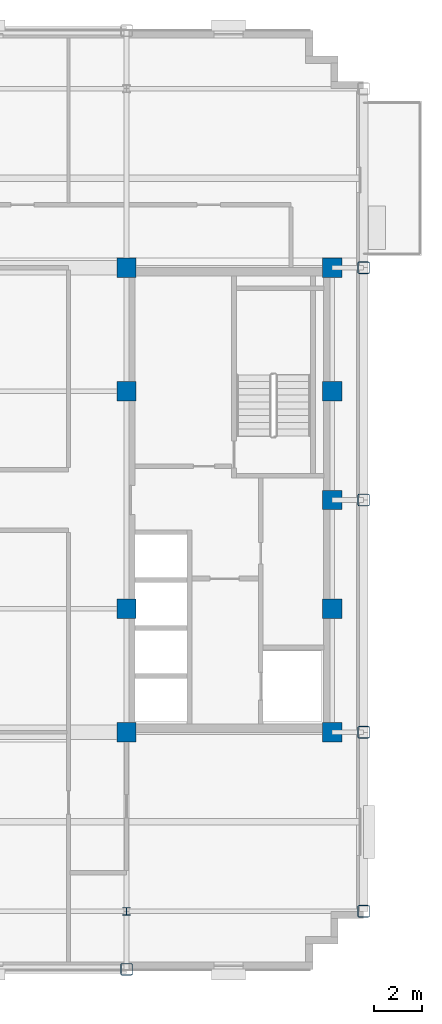
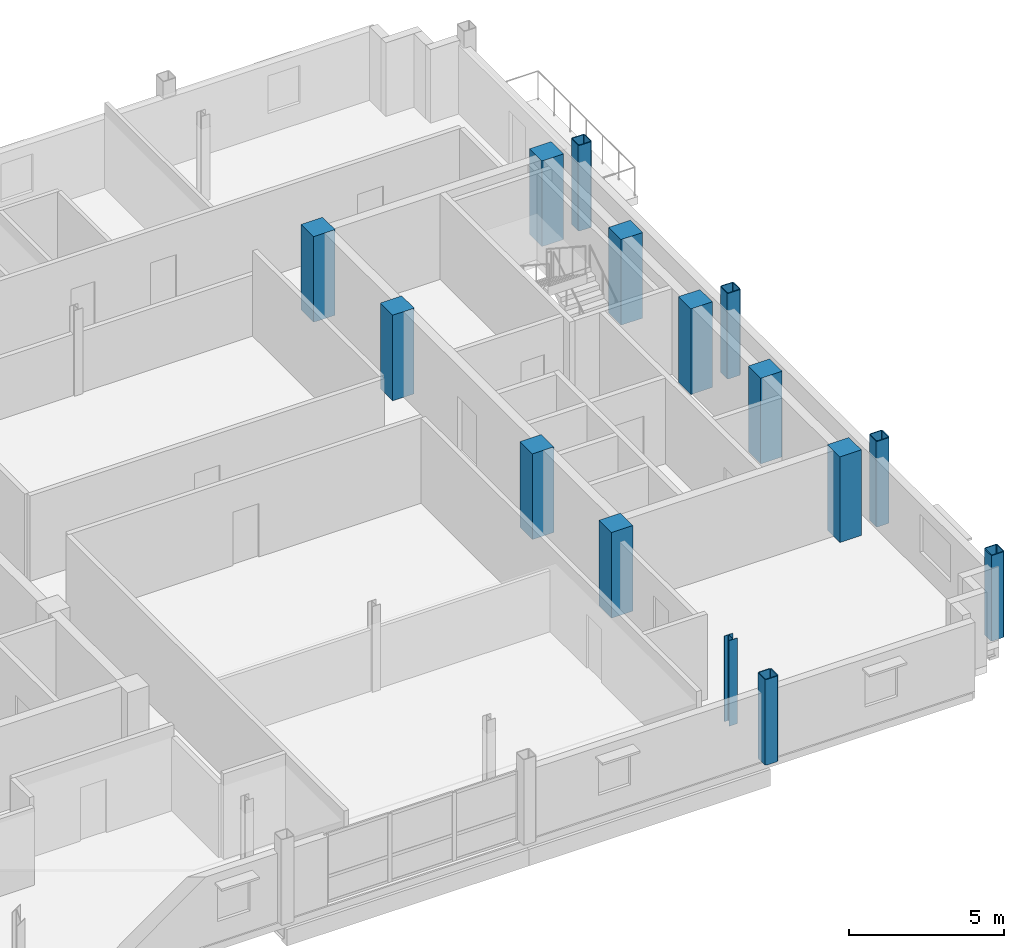
# One storey, part 2 of 16: 15 columns.
"""IFC4 building model written with IfcOpenShell, lengths in metres."""

from ifc_helpers import new_model, si_unit, direction, frame, origin, origin_2d, place, context, subcontext, project, spatial, rectangle, hollow_rectangle, i_section, extrude, material, material_profile, profile_set, type_object, element, save


model = new_model("IFC4")

# Units and contexts
model_context = context("Model", 3, precision=1e-05, world=origin(), true_north=direction((0.0, 1.0)))
body_context = subcontext(model_context, "Body", "Model", "MODEL_VIEW")
ifc_project = project(units=[si_unit("LENGTHUNIT", "METRE"), si_unit("AREAUNIT", "SQUARE_METRE"), si_unit("VOLUMEUNIT", "CUBIC_METRE"), si_unit("PLANEANGLEUNIT", "RADIAN"), si_unit("MASSUNIT", "GRAM", prefix="KILO")], contexts=[model_context])

# Site, building, storey
site_placement = place(None, origin())
site = spatial("IfcSite", under=ifc_project, at=site_placement, CompositionType="ELEMENT")
building_placement = place(site_placement, origin())
building = spatial("IfcBuilding", under=site, at=building_placement, Name="Nuvemarco Arch Tower", CompositionType="ELEMENT")
storey_placement = place(building_placement, frame((0.0, 0.0, 227.39990234375)))
storey = spatial("IfcBuildingStorey", under=building, at=storey_placement, Name="L60", CompositionType="ELEMENT", Elevation=227.39990234375)

# Columns
ifc_material_1 = material(Name="Concrete C50/60", Category="concrete")
ifc_material_profile_1 = material_profile(ifc_material_1, rectangle(XDim=0.800048828125, YDim=0.800048828125, at=origin_2d()), Name="RC-COL-800x800")
ifc_profile_set_1 = profile_set([ifc_material_profile_1], Name="Concrete C50/60")
column_type_1 = type_object("IfcColumnType", Name="COL-CORE-800", PredefinedType="COLUMN", material=ifc_profile_set_1)
for number, where, z_axis, x_axis, name in (
    (1, (9.0, -9.60009765625, 0.0), (0.0, 0.0, 1.0), (1.0, 0.0, 0.0), "L60 column CC_+9.0_-9.6"),
    (2, (9.0, -4.5, 0.0), (0.0, 0.0, 1.0), (1.0, 0.0, 0.0), "L60 column CC_+9.0_-4.5"),
    (3, (9.0, 4.5, 0.0), (0.0, 0.0, 1.0), (1.0, 0.0, 0.0), "L60 column CC_+9.0_+4.5"),
    (4, (9.0, 9.60009765625, 0.0), (0.0, 0.0, 1.0), (1.0, 0.0, 0.0), "L60 column CC_+9.0_+9.6"),
    (5, (17.5, -9.60009765625, 0.0), (0.0, 0.0, 1.0), (1.0, 0.0, 0.0), "L60 column CC_+17.5_-9.6"),
    (6, (17.5, -4.5, 0.0), (0.0, 0.0, 1.0), (1.0, 0.0, 0.0), "L60 column CC_+17.5_-4.5"),
    (7, (17.5, 4.5, 0.0), (0.0, 0.0, 1.0), (1.0, 0.0, 0.0), "L60 column CC_+17.5_+4.5"),
    (8, (17.5, 9.60009765625, 0.0), (0.0, 0.0, 1.0), (1.0, 0.0, 0.0), "L60 column CC_+17.5_+9.6"),
    (9, (17.5, 0.0, 0.0), (0.0, 0.0, 1.0), (1.0, 0.0, 0.0), "L60 column CC_+17.5_+0.0"),
):
    element("IfcColumn", number, at=place(storey_placement, frame(where, z_axis=z_axis, x_axis=x_axis)), inside=storey, type_object=column_type_1, Name=name, PredefinedType="COLUMN", context=body_context, shape_type="SweptSolid", body=[
        extrude(rectangle(XDim=0.800048828125, YDim=0.800048828125, at=origin_2d()), origin(), (0.0, 0.0, 1.0), 3.3701171875),
    ])
ifc_material_2 = material(Name="Steel S355", Category="steel")
ifc_material_profile_2 = material_profile(ifc_material_2, hollow_rectangle(XDim=0.5, YDim=0.5, WallThickness=0.031982421875, InnerFilletRadius=0.031982421875, OuterFilletRadius=0.06396484375, at=origin_2d()), Name="SHS500x500x32")
ifc_profile_set_2 = profile_set([ifc_material_profile_2], Name="Steel S355")
column_type_2 = type_object("IfcColumnType", Name="COL-EXO-500", PredefinedType="COLUMN", material=ifc_profile_set_2)
for number, where, z_axis, x_axis, name in (
    (10, (18.800048828125, -17.0, 0.0), (0.0, 0.0, 1.0), (1.0, 0.0, 0.0), "L60 column CX_+18.8_-17.0"),
    (11, (18.800048828125, -9.60009765625, 0.0), (0.0, 0.0, 1.0), (1.0, 0.0, 0.0), "L60 column CX_+18.8_-9.6"),
    (12, (18.800048828125, 0.0, 0.0), (0.0, 0.0, 1.0), (1.0, 0.0, 0.0), "L60 column CX_+18.8_+0.0"),
    (13, (18.800048828125, 9.60009765625, 0.0), (0.0, 0.0, 1.0), (1.0, 0.0, 0.0), "L60 column CX_+18.8_+9.6"),
    (14, (9.0, -19.39990234375, 0.0), (0.0, 0.0, 1.0), (1.0, 0.0, 0.0), "L60 column CY_+9.0_-19.4"),
):
    element("IfcColumn", number, at=place(storey_placement, frame(where, z_axis=z_axis, x_axis=x_axis)), inside=storey, type_object=column_type_2, Name=name, PredefinedType="COLUMN", context=body_context, shape_type="SweptSolid", body=[
        extrude(hollow_rectangle(XDim=0.5, YDim=0.5, WallThickness=0.031982421875, InnerFilletRadius=0.031982421875, OuterFilletRadius=0.06396484375, at=origin_2d()), origin(), (0.0, 0.0, 1.0), 3.3701171875),
    ])
ifc_material_profile_3 = material_profile(ifc_material_2, i_section(OverallWidth=0.31005859375, OverallDepth=0.31005859375, WebThickness=0.015380859375, FlangeThickness=0.015380859375, FilletRadius=0.014892578125, at=origin_2d()), Name="HP310x110")
ifc_profile_set_3 = profile_set([ifc_material_profile_3], Name="Steel S355")
column_type_3 = type_object("IfcColumnType", Name="COL-STL-HP310", PredefinedType="COLUMN", material=ifc_profile_set_3)
column_placement = place(storey_placement, frame((9.0, -17.0, 0.0), z_axis=(0.0, 0.0, 1.0), x_axis=(1.0, 0.0, 0.0)))
element("IfcColumn", 15, at=column_placement, inside=storey, type_object=column_type_3, Name="L60 column CI_+9.0_-17.0", PredefinedType="COLUMN", context=body_context, shape_type="SweptSolid", body=[
    extrude(i_section(OverallWidth=0.31005859375, OverallDepth=0.31005859375, WebThickness=0.015380859375, FlangeThickness=0.015380859375, FilletRadius=0.014892578125, at=origin_2d()), origin(), (0.0, 0.0, 1.0), 3.3701171875),
])

save(model, "model.ifc")
